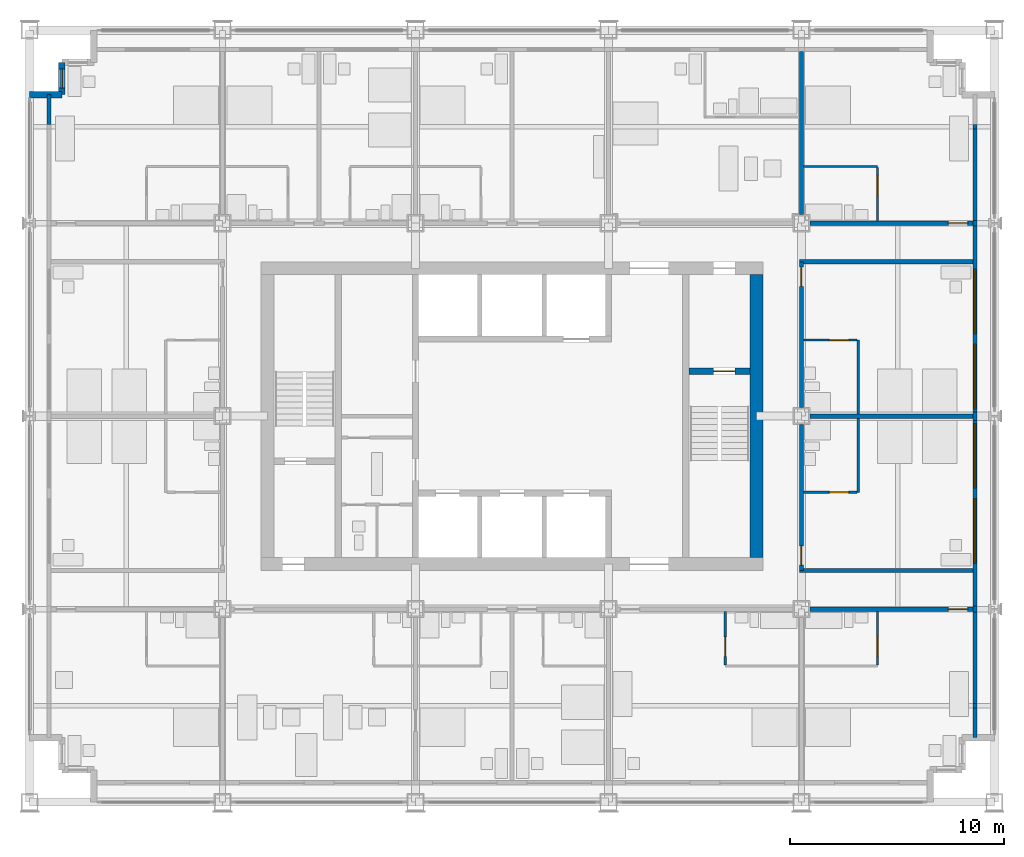
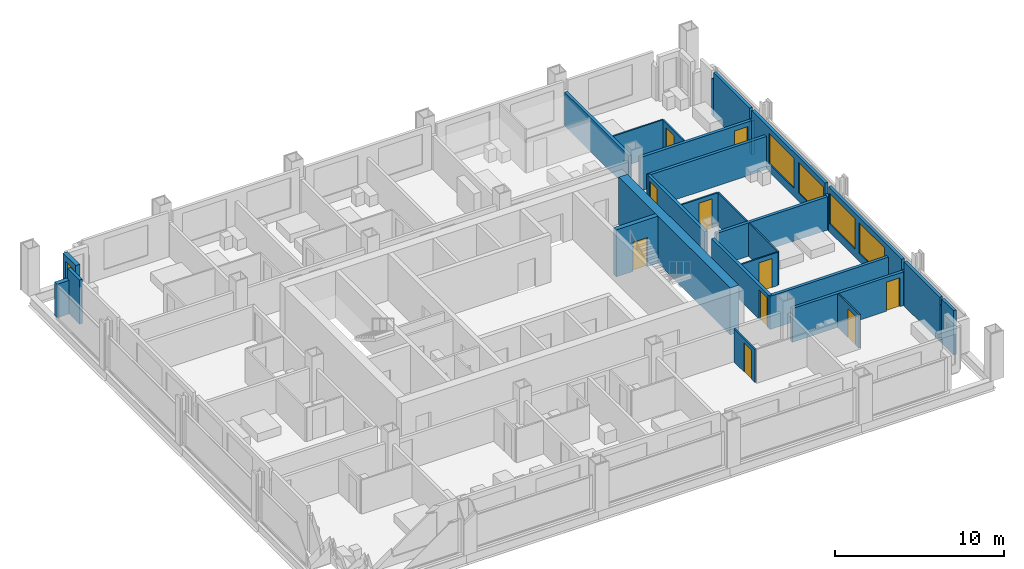
# One storey, part 12 of 16: 31 walls, 10 doors, 5 windows, 15 openings.
"""IFC4 building model written with IfcOpenShell, lengths in metres."""

from ifc_helpers import new_model, si_unit, direction, frame, frame_2d, origin, place, context, subcontext, project, spatial, rectangle, extrude, material, layer, layer_set, type_object, element, fill, save


model = new_model("IFC4")

# Units and contexts
model_context = context("Model", 3, precision=1e-05, world=origin(), true_north=direction((0.0, 1.0)))
body_context = subcontext(model_context, "Body", "Model", "MODEL_VIEW")
ifc_project = project(units=[si_unit("LENGTHUNIT", "METRE"), si_unit("AREAUNIT", "SQUARE_METRE"), si_unit("VOLUMEUNIT", "CUBIC_METRE"), si_unit("PLANEANGLEUNIT", "RADIAN"), si_unit("MASSUNIT", "GRAM", prefix="KILO")], contexts=[model_context])

# Site, building, storey
site_placement = place(None, origin())
site = spatial("IfcSite", under=ifc_project, at=site_placement, CompositionType="ELEMENT")
building_placement = place(site_placement, origin())
building = spatial("IfcBuilding", under=site, at=building_placement, Name="Loomwork Tower", CompositionType="ELEMENT")
storey_placement = place(building_placement, frame((0.0, 0.0, 128.199951171875)))
storey = spatial("IfcBuildingStorey", under=building, at=storey_placement, Name="L34", CompositionType="ELEMENT", Elevation=128.199951171875)

# Wall, opening, door
ifc_material_1 = material(Name="Concrete 14000 psi (97 MPa)", Category="concrete")
ifc_layer_1 = layer(ifc_material_1, 0.300048828125)
ifc_layer_set_1 = layer_set([ifc_layer_1], Name="Core shear wall 300")
wall_type_1 = type_object("IfcWallType", Name="Core shear wall 300", PredefinedType="SHEAR", material=ifc_layer_set_1)
wall_1_placement = place(storey_placement, frame((30.75, 20.10009765625, 0.0), z_axis=(0.0, 0.0, 1.0), x_axis=(1.0, 0.0, 0.0)))
wall_1 = element("IfcWall", 1, at=wall_1_placement, inside=storey, type_object=wall_type_1, Name="Stair B north wall L34", PredefinedType="SHEAR", context=body_context, shape_type="SweptSolid", body=[
    extrude(rectangle(XDim=2.85009765625, YDim=0.300048828125, at=frame_2d((1.425048828125, 0.0))), origin(), (0.0, 0.0, 1.0), 3.400146484375),
])
opening_1_placement = place(wall_1_placement, frame((1.14990234375, 0.0, 0.0)))
opening_1 = element("IfcOpeningElement", 2, at=opening_1_placement, cuts=wall_1, Name="Opening D4", PredefinedType="OPENING", context=body_context, shape_type="SweptSolid", body=[
    extrude(rectangle(XDim=1.0, YDim=2.10009765625, at=frame_2d((0.5, 1.050048828125))), frame((0.0, 0.159912109375, 0.0), z_axis=(0.0, -1.0, 0.0), x_axis=(1.0, 0.0, 0.0)), (0.0, 0.0, 1.0), 0.320068359375),
])
ifc_material_2 = material(Name="Hollow metal door and frame")
door_type_1 = type_object("IfcDoorType", Name="Stair door 1000", OperationType="SINGLE_SWING_RIGHT", PredefinedType="DOOR", material=ifc_material_2)
door_1_placement = place(opening_1_placement, frame((1.0, 0.0, 0.0), z_axis=(0.0, 0.0, 1.0), x_axis=(-1.0, 0.0, 0.0)))
door_1 = element("IfcDoor", 3, at=door_1_placement, inside=storey, type_object=door_type_1, Name="Stair B door", OperationType="SINGLE_SWING_LEFT", OverallHeight=2.10009765625, OverallWidth=1.0, PredefinedType="DOOR", context=body_context, shape_type="SweptSolid", body=[
    extrude(rectangle(XDim=1.0, YDim=2.10009765625, at=frame_2d((0.5, 1.050048828125))), frame((0.0, 0.02490234375, 0.0), z_axis=(0.0, -1.0, 0.0), x_axis=(1.0, 0.0, 0.0)), (0.0, 0.0, 1.0), 0.050048828125),
])
fill(opening_1, door_1)

# Wall
ifc_material_3 = material(Name="Concrete 14000 psi (97 MPa)", Category="concrete")
ifc_layer_2 = layer(ifc_material_3, 0.60009765625)
ifc_layer_set_2 = layer_set([ifc_layer_2], Name="Core shear wall 600")
wall_type_2 = type_object("IfcWallType", Name="Core shear wall 600", PredefinedType="SHEAR", material=ifc_layer_set_2)
wall_2_placement = place(storey_placement, frame((33.89990234375, 11.39990234375, 0.0), z_axis=(0.0, 0.0, 1.0), x_axis=(0.0, 1.0, 0.0)))
element("IfcWall", 4, at=wall_2_placement, inside=storey, type_object=wall_type_2, Name="Core wall east L34", PredefinedType="SHEAR", context=body_context, shape_type="SweptSolid", body=[
    extrude(rectangle(XDim=13.2001953125, YDim=0.60009765625, at=frame_2d((6.60009765625, 0.0))), origin(), (0.0, 0.0, 1.0), 3.400146484375),
])

# Wall, opening, door
ifc_material_4 = material(Name="Gypsum board on steel studs, one-hour", Category="steel")
ifc_layer_3 = layer(ifc_material_4, 0.199951171875)
ifc_layer_set_3 = layer_set([ifc_layer_3], Name="Corridor wall 200")
wall_type_3 = type_object("IfcWallType", Name="Corridor wall 200", PredefinedType="PARTITIONING", material=ifc_layer_set_3)
wall_3_placement = place(storey_placement, frame((36.39990234375, 9.0, 0.0), z_axis=(0.0, 0.0, 1.0), x_axis=(1.0, 0.0, 0.0)))
wall_3 = element("IfcWall", 5, at=wall_3_placement, inside=storey, type_object=wall_type_3, Name="South corridor wall 5", PredefinedType="PARTITIONING", context=body_context, shape_type="SweptSolid", body=[
    extrude(rectangle(XDim=7.60009765625, YDim=0.199951171875, at=frame_2d((3.800048828125, 0.0))), origin(), (0.0, 0.0, 1.0), 2.43798828125),
])
opening_2_placement = place(wall_3_placement, frame((6.449951171875, 0.0, 0.0)))
opening_2 = element("IfcOpeningElement", 6, at=opening_2_placement, cuts=wall_3, Name="Opening D1", PredefinedType="OPENING", context=body_context, shape_type="SweptSolid", body=[
    extrude(rectangle(XDim=0.89990234375, YDim=2.10009765625, at=frame_2d((0.449951171875, 1.050048828125))), frame((0.0, 0.10986328125, 0.0), z_axis=(0.0, -1.0, 0.0), x_axis=(1.0, 0.0, 0.0)), (0.0, 0.0, 1.0), 0.219970703125),
])
ifc_material_5 = material(Name="Hollow metal door and frame")
door_type_2 = type_object("IfcDoorType", Name="Guest room entry door 900", OperationType="SINGLE_SWING_LEFT", PredefinedType="DOOR", material=ifc_material_5)
door_2_placement = place(opening_2_placement, frame((0.89990234375, 0.0, 0.0), z_axis=(0.0, 0.0, 1.0), x_axis=(-1.0, 0.0, 0.0)))
door_2 = element("IfcDoor", 7, at=door_2_placement, inside=storey, type_object=door_type_2, Name="Guest room entry door L34 6", OperationType="SINGLE_SWING_LEFT", OverallHeight=2.10009765625, OverallWidth=0.89990234375, PredefinedType="DOOR", context=body_context, shape_type="SweptSolid", body=[
    extrude(rectangle(XDim=0.89990234375, YDim=2.10009765625, at=frame_2d((0.449951171875, 1.050048828125))), frame((0.0, 0.02490234375, 0.0), z_axis=(0.0, -1.0, 0.0), x_axis=(1.0, 0.0, 0.0)), (0.0, 0.0, 1.0), 0.050048828125),
])
fill(opening_2, door_2)

wall_4_placement = place(storey_placement, frame((36.39990234375, 27.0, 0.0), z_axis=(0.0, 0.0, 1.0), x_axis=(1.0, 0.0, 0.0)))
wall_4 = element("IfcWall", 8, at=wall_4_placement, inside=storey, type_object=wall_type_3, Name="North corridor wall 5", PredefinedType="PARTITIONING", context=body_context, shape_type="SweptSolid", body=[
    extrude(rectangle(XDim=7.60009765625, YDim=0.199951171875, at=frame_2d((3.800048828125, 0.0))), origin(), (0.0, 0.0, 1.0), 2.43798828125),
])
opening_3_placement = place(wall_4_placement, frame((6.449951171875, 0.0, 0.0)))
opening_3 = element("IfcOpeningElement", 9, at=opening_3_placement, cuts=wall_4, Name="Opening D1", PredefinedType="OPENING", context=body_context, shape_type="SweptSolid", body=[
    extrude(rectangle(XDim=0.89990234375, YDim=2.10009765625, at=frame_2d((0.449951171875, 1.050048828125))), frame((0.0, 0.10986328125, 0.0), z_axis=(0.0, -1.0, 0.0), x_axis=(1.0, 0.0, 0.0)), (0.0, 0.0, 1.0), 0.219970703125),
])
door_3_placement = place(opening_3_placement, origin())
door_3 = element("IfcDoor", 10, at=door_3_placement, inside=storey, type_object=door_type_2, Name="Guest room entry door L34 13", OperationType="SINGLE_SWING_RIGHT", OverallHeight=2.10009765625, OverallWidth=0.89990234375, PredefinedType="DOOR", context=body_context, shape_type="SweptSolid", body=[
    extrude(rectangle(XDim=0.89990234375, YDim=2.10009765625, at=frame_2d((0.449951171875, 1.050048828125))), frame((0.0, 0.02490234375, 0.0), z_axis=(0.0, -1.0, 0.0), x_axis=(1.0, 0.0, 0.0)), (0.0, 0.0, 1.0), 0.050048828125),
])
fill(opening_3, door_3)

wall_5_placement = place(storey_placement, frame((36.0, 10.800048828125, 0.0), z_axis=(0.0, 0.0, 1.0), x_axis=(0.0, 1.0, 0.0)))
wall_5 = element("IfcWall", 11, at=wall_5_placement, inside=storey, type_object=wall_type_3, Name="East corridor wall 1", PredefinedType="PARTITIONING", context=body_context, shape_type="SweptSolid", body=[
    extrude(rectangle(XDim=6.800048828125, YDim=0.199951171875, at=frame_2d((3.39990234375, 0.0))), origin(), (0.0, 0.0, 1.0), 2.405029296875),
])
opening_4_placement = place(wall_5_placement, frame((0.25, 0.0, 0.0)))
opening_4 = element("IfcOpeningElement", 12, at=opening_4_placement, cuts=wall_5, Name="Opening D1", PredefinedType="OPENING", context=body_context, shape_type="SweptSolid", body=[
    extrude(rectangle(XDim=0.89990234375, YDim=2.10009765625, at=frame_2d((0.449951171875, 1.050048828125))), frame((0.0, 0.10986328125, 0.0), z_axis=(0.0, -1.0, 0.0), x_axis=(1.0, 0.0, 0.0)), (0.0, 0.0, 1.0), 0.219970703125),
])
door_4_placement = place(opening_4_placement, frame((0.89990234375, 0.0, 0.0), z_axis=(0.0, 0.0, 1.0), x_axis=(-1.0, 0.0, 0.0)))
door_4 = element("IfcDoor", 13, at=door_4_placement, inside=storey, type_object=door_type_2, Name="Guest room entry door L34 16", OperationType="SINGLE_SWING_RIGHT", OverallHeight=2.10009765625, OverallWidth=0.89990234375, PredefinedType="DOOR", context=body_context, shape_type="SweptSolid", body=[
    extrude(rectangle(XDim=0.89990234375, YDim=2.10009765625, at=frame_2d((0.449951171875, 1.050048828125))), frame((0.0, 0.02490234375, 0.0), z_axis=(0.0, -1.0, 0.0), x_axis=(1.0, 0.0, 0.0)), (0.0, 0.0, 1.0), 0.050048828125),
])
fill(opening_4, door_4)

wall_6_placement = place(storey_placement, frame((36.0, 18.39990234375, 0.0), z_axis=(0.0, 0.0, 1.0), x_axis=(0.0, 1.0, 0.0)))
wall_6 = element("IfcWall", 14, at=wall_6_placement, inside=storey, type_object=wall_type_3, Name="East corridor wall 2", PredefinedType="PARTITIONING", context=body_context, shape_type="SweptSolid", body=[
    extrude(rectangle(XDim=6.800048828125, YDim=0.199951171875, at=frame_2d((3.39990234375, 0.0))), origin(), (0.0, 0.0, 1.0), 2.405029296875),
])
opening_5_placement = place(wall_6_placement, frame((5.64990234375, 0.0, 0.0)))
opening_5 = element("IfcOpeningElement", 15, at=opening_5_placement, cuts=wall_6, Name="Opening D1", PredefinedType="OPENING", context=body_context, shape_type="SweptSolid", body=[
    extrude(rectangle(XDim=0.89990234375, YDim=2.10009765625, at=frame_2d((0.449951171875, 1.050048828125))), frame((0.0, 0.10986328125, 0.0), z_axis=(0.0, -1.0, 0.0), x_axis=(1.0, 0.0, 0.0)), (0.0, 0.0, 1.0), 0.219970703125),
])
door_5_placement = place(opening_5_placement, frame((0.89990234375, 0.0, 0.0), z_axis=(0.0, 0.0, 1.0), x_axis=(-1.0, 0.0, 0.0)))
door_5 = element("IfcDoor", 16, at=door_5_placement, inside=storey, type_object=door_type_2, Name="Guest room entry door L34 17", OperationType="SINGLE_SWING_LEFT", OverallHeight=2.10009765625, OverallWidth=0.89990234375, PredefinedType="DOOR", context=body_context, shape_type="SweptSolid", body=[
    extrude(rectangle(XDim=0.89990234375, YDim=2.10009765625, at=frame_2d((0.449951171875, 1.050048828125))), frame((0.0, 0.02490234375, 0.0), z_axis=(0.0, -1.0, 0.0), x_axis=(1.0, 0.0, 0.0)), (0.0, 0.0, 1.0), 0.050048828125),
])
fill(opening_5, door_5)

# Walls
for number, where, z_axis, x_axis, name in (
    (17, (35.89990234375, 10.800048828125, 0.0), (0.0, 0.0, 1.0), (1.0, 0.0, 0.0), "East band end wall S"),
    (18, (35.89990234375, 25.199951171875, 0.0), (0.0, 0.0, 1.0), (1.0, 0.0, 0.0), "East band end wall N"),
):
    element("IfcWall", number, at=place(storey_placement, frame(where, z_axis=z_axis, x_axis=x_axis)), inside=storey, type_object=wall_type_3, Name=name, PredefinedType="PARTITIONING", context=body_context, shape_type="SweptSolid", body=[
        extrude(rectangle(XDim=8.10009765625, YDim=0.199951171875, at=frame_2d((4.050048828125, 0.0))), origin(), (0.0, 0.0, 1.0), 2.404052734375),
    ])

# Wall, opening, door
ifc_material_6 = material(Name="Cement board on steel studs", Category="steel")
ifc_layer_4 = layer(ifc_material_6, 0.10009765625)
ifc_layer_set_4 = layer_set([ifc_layer_4], Name="En-suite partition 100")
wall_type_4 = type_object("IfcWallType", Name="En-suite partition 100", PredefinedType="PARTITIONING", material=ifc_layer_set_4)
wall_7_placement = place(storey_placement, frame((32.449951171875, 8.89990234375, 0.0), z_axis=(0.0, 0.0, 1.0), x_axis=(0.0, -1.0, 0.0)))
wall_7 = element("IfcWall", 19, at=wall_7_placement, inside=storey, type_object=wall_type_4, Name="En-suite side wall L34 room 5", PredefinedType="PARTITIONING", context=body_context, shape_type="SweptSolid", body=[
    extrude(rectangle(XDim=2.5, YDim=0.10009765625, at=frame_2d((1.25, 0.0))), origin(), (0.0, 0.0, 1.0), 2.404052734375),
])
opening_6_placement = place(wall_7_placement, frame((1.199951171875, 0.0, 0.0)))
opening_6 = element("IfcOpeningElement", 20, at=opening_6_placement, cuts=wall_7, Name="Opening D2", PredefinedType="OPENING", context=body_context, shape_type="SweptSolid", body=[
    extrude(rectangle(XDim=0.89990234375, YDim=2.10009765625, at=frame_2d((0.449951171875, 1.050048828125))), frame((0.0, 0.06005859375, 0.0), z_axis=(0.0, -1.0, 0.0), x_axis=(1.0, 0.0, 0.0)), (0.0, 0.0, 1.0), 0.1201171875),
])
ifc_material_7 = material(Name="Hollow metal door and frame")
door_type_3 = type_object("IfcDoorType", Name="En-suite door 900", OperationType="SINGLE_SWING_LEFT", PredefinedType="DOOR", material=ifc_material_7)
door_6_placement = place(opening_6_placement, origin())
door_6 = element("IfcDoor", 21, at=door_6_placement, inside=storey, type_object=door_type_3, Name="En-suite door room 5", OperationType="SINGLE_SWING_RIGHT", OverallHeight=2.10009765625, OverallWidth=0.89990234375, PredefinedType="DOOR", context=body_context, shape_type="SweptSolid", body=[
    extrude(rectangle(XDim=0.89990234375, YDim=2.10009765625, at=frame_2d((0.449951171875, 1.050048828125))), frame((0.0, 0.02490234375, 0.0), z_axis=(0.0, -1.0, 0.0), x_axis=(1.0, 0.0, 0.0)), (0.0, 0.0, 1.0), 0.050048828125),
])
fill(opening_6, door_6)

wall_8_placement = place(storey_placement, frame((39.550048828125, 8.89990234375, 0.0), z_axis=(0.0, 0.0, 1.0), x_axis=(0.0, -1.0, 0.0)))
wall_8 = element("IfcWall", 22, at=wall_8_placement, inside=storey, type_object=wall_type_4, Name="En-suite side wall L34 room 6", PredefinedType="PARTITIONING", context=body_context, shape_type="SweptSolid", body=[
    extrude(rectangle(XDim=2.5, YDim=0.10009765625, at=frame_2d((1.25, 0.0))), origin(), (0.0, 0.0, 1.0), 2.43798828125),
])
opening_7_placement = place(wall_8_placement, frame((1.199951171875, 0.0, 0.0)))
opening_7 = element("IfcOpeningElement", 23, at=opening_7_placement, cuts=wall_8, Name="Opening D2", PredefinedType="OPENING", context=body_context, shape_type="SweptSolid", body=[
    extrude(rectangle(XDim=0.89990234375, YDim=2.10009765625, at=frame_2d((0.449951171875, 1.050048828125))), frame((0.0, 0.06005859375, 0.0), z_axis=(0.0, -1.0, 0.0), x_axis=(1.0, 0.0, 0.0)), (0.0, 0.0, 1.0), 0.1201171875),
])
door_7_placement = place(opening_7_placement, frame((0.89990234375, 0.0, 0.0), z_axis=(0.0, 0.0, 1.0), x_axis=(-1.0, 0.0, 0.0)))
door_7 = element("IfcDoor", 24, at=door_7_placement, inside=storey, type_object=door_type_3, Name="En-suite door room 6", OperationType="SINGLE_SWING_LEFT", OverallHeight=2.10009765625, OverallWidth=0.89990234375, PredefinedType="DOOR", context=body_context, shape_type="SweptSolid", body=[
    extrude(rectangle(XDim=0.89990234375, YDim=2.10009765625, at=frame_2d((0.449951171875, 1.050048828125))), frame((0.0, 0.02490234375, 0.0), z_axis=(0.0, -1.0, 0.0), x_axis=(1.0, 0.0, 0.0)), (0.0, 0.0, 1.0), 0.050048828125),
])
fill(opening_7, door_7)

# Wall
wall_9_placement = place(storey_placement, frame((36.10009765625, 29.64990234375, 0.0), z_axis=(0.0, 0.0, 1.0), x_axis=(1.0, 0.0, 0.0)))
element("IfcWall", 25, at=wall_9_placement, inside=storey, type_object=wall_type_4, Name="En-suite wall L34 room 13", PredefinedType="PARTITIONING", context=body_context, shape_type="SweptSolid", body=[
    extrude(rectangle(XDim=3.449951171875, YDim=0.10009765625, at=frame_2d((1.72509765625, 0.0))), origin(), (0.0, 0.0, 1.0), 2.43798828125),
])

# Wall, opening, door
wall_10_placement = place(storey_placement, frame((39.550048828125, 27.10009765625, 0.0), z_axis=(0.0, 0.0, 1.0), x_axis=(0.0, 1.0, 0.0)))
wall_10 = element("IfcWall", 26, at=wall_10_placement, inside=storey, type_object=wall_type_4, Name="En-suite side wall L34 room 13", PredefinedType="PARTITIONING", context=body_context, shape_type="SweptSolid", body=[
    extrude(rectangle(XDim=2.5, YDim=0.10009765625, at=frame_2d((1.25, 0.0))), origin(), (0.0, 0.0, 1.0), 2.43798828125),
])
opening_8_placement = place(wall_10_placement, frame((1.199951171875, 0.0, 0.0)))
opening_8 = element("IfcOpeningElement", 27, at=opening_8_placement, cuts=wall_10, Name="Opening D2", PredefinedType="OPENING", context=body_context, shape_type="SweptSolid", body=[
    extrude(rectangle(XDim=0.89990234375, YDim=2.10009765625, at=frame_2d((0.449951171875, 1.050048828125))), frame((0.0, 0.06005859375, 0.0), z_axis=(0.0, -1.0, 0.0), x_axis=(1.0, 0.0, 0.0)), (0.0, 0.0, 1.0), 0.1201171875),
])
door_8_placement = place(opening_8_placement, origin())
door_8 = element("IfcDoor", 28, at=door_8_placement, inside=storey, type_object=door_type_3, Name="En-suite door room 13", OperationType="SINGLE_SWING_RIGHT", OverallHeight=2.10009765625, OverallWidth=0.89990234375, PredefinedType="DOOR", context=body_context, shape_type="SweptSolid", body=[
    extrude(rectangle(XDim=0.89990234375, YDim=2.10009765625, at=frame_2d((0.449951171875, 1.050048828125))), frame((0.0, 0.02490234375, 0.0), z_axis=(0.0, -1.0, 0.0), x_axis=(1.0, 0.0, 0.0)), (0.0, 0.0, 1.0), 0.050048828125),
])
fill(opening_8, door_8)

# Wall
wall_11_placement = place(storey_placement, frame((38.64990234375, 14.449951171875, 0.0), z_axis=(0.0, 0.0, 1.0), x_axis=(0.0, 1.0, 0.0)))
element("IfcWall", 29, at=wall_11_placement, inside=storey, type_object=wall_type_4, Name="En-suite wall L34 room 16", PredefinedType="PARTITIONING", context=body_context, shape_type="SweptSolid", body=[
    extrude(rectangle(XDim=3.449951171875, YDim=0.10009765625, at=frame_2d((1.72509765625, 0.0))), origin(), (0.0, 0.0, 1.0), 2.404052734375),
])

# Wall, opening, door
wall_12_placement = place(storey_placement, frame((36.10009765625, 14.449951171875, 0.0), z_axis=(0.0, 0.0, 1.0), x_axis=(1.0, 0.0, 0.0)))
wall_12 = element("IfcWall", 30, at=wall_12_placement, inside=storey, type_object=wall_type_4, Name="En-suite side wall L34 room 16", PredefinedType="PARTITIONING", context=body_context, shape_type="SweptSolid", body=[
    extrude(rectangle(XDim=2.5, YDim=0.10009765625, at=frame_2d((1.25, 0.0))), origin(), (0.0, 0.0, 1.0), 2.404052734375),
])
opening_9_placement = place(wall_12_placement, frame((1.199951171875, 0.0, 0.0)))
opening_9 = element("IfcOpeningElement", 31, at=opening_9_placement, cuts=wall_12, Name="Opening D2", PredefinedType="OPENING", context=body_context, shape_type="SweptSolid", body=[
    extrude(rectangle(XDim=0.89990234375, YDim=2.10009765625, at=frame_2d((0.449951171875, 1.050048828125))), frame((0.0, 0.06005859375, 0.0), z_axis=(0.0, -1.0, 0.0), x_axis=(1.0, 0.0, 0.0)), (0.0, 0.0, 1.0), 0.1201171875),
])
door_9_placement = place(opening_9_placement, origin())
door_9 = element("IfcDoor", 32, at=door_9_placement, inside=storey, type_object=door_type_3, Name="En-suite door room 16", OperationType="SINGLE_SWING_RIGHT", OverallHeight=2.10009765625, OverallWidth=0.89990234375, PredefinedType="DOOR", context=body_context, shape_type="SweptSolid", body=[
    extrude(rectangle(XDim=0.89990234375, YDim=2.10009765625, at=frame_2d((0.449951171875, 1.050048828125))), frame((0.0, 0.02490234375, 0.0), z_axis=(0.0, -1.0, 0.0), x_axis=(1.0, 0.0, 0.0)), (0.0, 0.0, 1.0), 0.050048828125),
])
fill(opening_9, door_9)

# Wall
wall_13_placement = place(storey_placement, frame((38.64990234375, 18.10009765625, 0.0), z_axis=(0.0, 0.0, 1.0), x_axis=(0.0, 1.0, 0.0)))
element("IfcWall", 33, at=wall_13_placement, inside=storey, type_object=wall_type_4, Name="En-suite wall L34 room 17", PredefinedType="PARTITIONING", context=body_context, shape_type="SweptSolid", body=[
    extrude(rectangle(XDim=3.449951171875, YDim=0.10009765625, at=frame_2d((1.72509765625, 0.0))), origin(), (0.0, 0.0, 1.0), 2.404052734375),
])

# Wall, opening, door
wall_14_placement = place(storey_placement, frame((36.10009765625, 21.550048828125, 0.0), z_axis=(0.0, 0.0, 1.0), x_axis=(1.0, 0.0, 0.0)))
wall_14 = element("IfcWall", 34, at=wall_14_placement, inside=storey, type_object=wall_type_4, Name="En-suite side wall L34 room 17", PredefinedType="PARTITIONING", context=body_context, shape_type="SweptSolid", body=[
    extrude(rectangle(XDim=2.5, YDim=0.10009765625, at=frame_2d((1.25, 0.0))), origin(), (0.0, 0.0, 1.0), 2.404052734375),
])
opening_10_placement = place(wall_14_placement, frame((1.199951171875, 0.0, 0.0)))
opening_10 = element("IfcOpeningElement", 35, at=opening_10_placement, cuts=wall_14, Name="Opening D2", PredefinedType="OPENING", context=body_context, shape_type="SweptSolid", body=[
    extrude(rectangle(XDim=0.89990234375, YDim=2.10009765625, at=frame_2d((0.449951171875, 1.050048828125))), frame((0.0, 0.06005859375, 0.0), z_axis=(0.0, -1.0, 0.0), x_axis=(1.0, 0.0, 0.0)), (0.0, 0.0, 1.0), 0.1201171875),
])
door_10_placement = place(opening_10_placement, frame((0.89990234375, 0.0, 0.0), z_axis=(0.0, 0.0, 1.0), x_axis=(-1.0, 0.0, 0.0)))
door_10 = element("IfcDoor", 36, at=door_10_placement, inside=storey, type_object=door_type_3, Name="En-suite door room 17", OperationType="SINGLE_SWING_LEFT", OverallHeight=2.10009765625, OverallWidth=0.89990234375, PredefinedType="DOOR", context=body_context, shape_type="SweptSolid", body=[
    extrude(rectangle(XDim=0.89990234375, YDim=2.10009765625, at=frame_2d((0.449951171875, 1.050048828125))), frame((0.0, 0.02490234375, 0.0), z_axis=(0.0, -1.0, 0.0), x_axis=(1.0, 0.0, 0.0)), (0.0, 0.0, 1.0), 0.050048828125),
])
fill(opening_10, door_10)

# Walls
ifc_material_8 = material(Name="Gypsum board on steel studs, acoustic", Category="steel")
ifc_layer_5 = layer(ifc_material_8, 0.199951171875)
ifc_layer_set_5 = layer_set([ifc_layer_5], Name="Guest room party wall 200")
wall_type_5 = type_object("IfcWallType", Name="Guest room party wall 200", PredefinedType="PARTITIONING", material=ifc_layer_set_5)
wall_15_placement = place(storey_placement, frame((36.0, 27.39990234375, 0.0), z_axis=(0.0, 0.0, 1.0), x_axis=(0.0, 1.0, 0.0)))
element("IfcWall", 37, at=wall_15_placement, inside=storey, type_object=wall_type_5, Name="Guest room party wall N 36", PredefinedType="PARTITIONING", context=body_context, shape_type="SweptSolid", body=[
    extrude(rectangle(XDim=7.60009765625, YDim=0.199951171875, at=frame_2d((3.800048828125, 0.0))), origin(), (0.0, 0.0, 1.0), 2.43798828125),
])
wall_16_placement = place(storey_placement, frame((36.39990234375, 18.0, 0.0), z_axis=(0.0, 0.0, 1.0), x_axis=(1.0, 0.0, 0.0)))
element("IfcWall", 38, at=wall_16_placement, inside=storey, type_object=wall_type_5, Name="Guest room party wall E 18", PredefinedType="PARTITIONING", context=body_context, shape_type="SweptSolid", body=[
    extrude(rectangle(XDim=7.60009765625, YDim=0.199951171875, at=frame_2d((3.800048828125, 0.0))), origin(), (0.0, 0.0, 1.0), 2.405029296875),
])
ifc_material_9 = material(Name="Insulated steel stud wall with gypsum lining", Category="steel")
ifc_layer_6 = layer(ifc_material_9, 0.199951171875)
ifc_layer_set_6 = layer_set([ifc_layer_6], Name="Inner skin wall 200")
wall_type_6 = type_object("IfcWallType", Name="Inner skin wall 200", PredefinedType="SOLIDWALL", material=ifc_layer_set_6)
for number, where, z_axis, x_axis, name in (
    (39, (44.10009765625, 3.0, 0.0), (0.0, 0.0, 1.0), (0.0, 1.0, 0.0), "Inner skin wall E"),
    (40, (0.89990234375, 31.607421875, 0.0), (0.0, 0.0, 1.0), (0.0, 1.0, 0.0), "Inner skin wall W bay 11"),
):
    element("IfcWall", number, at=place(storey_placement, frame(where, z_axis=z_axis, x_axis=x_axis)), inside=storey, type_object=wall_type_6, Name=name, PredefinedType="SOLIDWALL", context=body_context, shape_type="SweptSolid", body=[
        extrude(rectangle(XDim=1.392578125, YDim=0.199951171875, at=frame_2d((0.6962890625, 0.0))), origin(), (0.0, 0.0, 1.0), 3.199951171875),
    ])
wall_17_placement = place(storey_placement, frame((44.10009765625, 4.392578125, 0.0), z_axis=(0.0, 0.0, 1.0), x_axis=(0.0, 1.0, 0.0)))
element("IfcWall", 41, at=wall_17_placement, inside=storey, type_object=wall_type_6, Name="Inner skin wall E bay 2", PredefinedType="SOLIDWALL", context=body_context, shape_type="SweptSolid", body=[
    extrude(rectangle(XDim=0.21484375, YDim=0.199951171875, at=frame_2d((0.107421875, 0.0))), origin(), (0.0, 0.0, 1.0), 2.6611328125),
])
wall_18_placement = place(storey_placement, frame((44.10009765625, 4.607421875, 0.0), z_axis=(0.0, 0.0, 1.0), x_axis=(0.0, 1.0, 0.0)))
element("IfcWall", 42, at=wall_18_placement, inside=storey, type_object=wall_type_6, Name="Inner skin wall E bay 3", PredefinedType="SOLIDWALL", context=body_context, shape_type="SweptSolid", body=[
    extrude(rectangle(XDim=4.25732421875, YDim=0.199951171875, at=frame_2d((2.128662109375, 0.0))), origin(), (0.0, 0.0, 1.0), 3.199951171875),
])
wall_19_placement = place(storey_placement, frame((44.10009765625, 8.86474609375, 0.0), z_axis=(0.0, 0.0, 1.0), x_axis=(0.0, 1.0, 0.0)))
element("IfcWall", 43, at=wall_19_placement, inside=storey, type_object=wall_type_6, Name="Inner skin wall E bay 4", PredefinedType="SOLIDWALL", context=body_context, shape_type="SweptSolid", body=[
    extrude(rectangle(XDim=0.2705078125, YDim=0.199951171875, at=frame_2d((0.13525390625, 0.0))), origin(), (0.0, 0.0, 1.0), 2.43798828125),
])

# Wall, openings, windows
wall_20_placement = place(storey_placement, frame((44.10009765625, 9.13525390625, 0.0), z_axis=(0.0, 0.0, 1.0), x_axis=(0.0, 1.0, 0.0)))
wall_20 = element("IfcWall", 44, at=wall_20_placement, inside=storey, type_object=wall_type_6, Name="Inner skin wall E bay 5", PredefinedType="SOLIDWALL", context=body_context, shape_type="SweptSolid", body=[
    extrude(rectangle(XDim=8.6708984375, YDim=0.199951171875, at=frame_2d((4.33544921875, 0.0))), origin(), (0.0, 0.0, 1.0), 3.199951171875),
])
opening_11_placement = place(wall_20_placement, frame((2.0146484375, 0.0, 0.60009765625)))
opening_11 = element("IfcOpeningElement", 45, at=opening_11_placement, cuts=wall_20, Name="Opening CH1", PredefinedType="OPENING", context=body_context, shape_type="SweptSolid", body=[
    extrude(rectangle(XDim=3.0, YDim=2.199951171875, at=frame_2d((1.5, 1.10009765625))), frame((0.0, 0.10986328125, 0.0), z_axis=(0.0, -1.0, 0.0), x_axis=(1.0, 0.0, 0.0)), (0.0, 0.0, 1.0), 0.219970703125),
])
opening_12_placement = place(wall_20_placement, frame((5.5146484375, 0.0, 0.60009765625)))
opening_12 = element("IfcOpeningElement", 46, at=opening_12_placement, cuts=wall_20, Name="Opening CH1", PredefinedType="OPENING", context=body_context, shape_type="SweptSolid", body=[
    extrude(rectangle(XDim=3.0, YDim=2.199951171875, at=frame_2d((1.5, 1.10009765625))), frame((0.0, 0.10986328125, 0.0), z_axis=(0.0, -1.0, 0.0), x_axis=(1.0, 0.0, 0.0)), (0.0, 0.0, 1.0), 0.219970703125),
])
ifc_material_10 = material(Name="Aluminium frame with clear insulated glass", Category="aluminium")
window_type_1 = type_object("IfcWindowType", Name="Chicago window 3000", PartitioningType="TRIPLE_PANEL_VERTICAL", PredefinedType="WINDOW", material=ifc_material_10)
window_1_placement = place(opening_11_placement, origin())
window_1 = element("IfcWindow", 47, at=window_1_placement, inside=storey, type_object=window_type_1, Name="Chicago window L34 bay 13", OverallHeight=2.199951171875, OverallWidth=3.0, PartitioningType="TRIPLE_PANEL_VERTICAL", PredefinedType="WINDOW", context=body_context, shape_type="SweptSolid", body=[
    extrude(rectangle(XDim=3.0, YDim=2.199951171875, at=frame_2d((1.5, 1.10009765625))), frame((0.0, 0.030029296875, 0.0), z_axis=(0.0, -1.0, 0.0), x_axis=(1.0, 0.0, 0.0)), (0.0, 0.0, 1.0), 0.06005859375),
])
fill(opening_11, window_1)
window_2_placement = place(opening_12_placement, origin())
window_2 = element("IfcWindow", 48, at=window_2_placement, inside=storey, type_object=window_type_1, Name="Chicago window L34 bay 13", OverallHeight=2.199951171875, OverallWidth=3.0, PartitioningType="TRIPLE_PANEL_VERTICAL", PredefinedType="WINDOW", context=body_context, shape_type="SweptSolid", body=[
    extrude(rectangle(XDim=3.0, YDim=2.199951171875, at=frame_2d((1.5, 1.10009765625))), frame((0.0, 0.030029296875, 0.0), z_axis=(0.0, -1.0, 0.0), x_axis=(1.0, 0.0, 0.0)), (0.0, 0.0, 1.0), 0.06005859375),
])
fill(opening_12, window_2)

# Wall
wall_21_placement = place(storey_placement, frame((44.10009765625, 17.80615234375, 0.0), z_axis=(0.0, 0.0, 1.0), x_axis=(0.0, 1.0, 0.0)))
element("IfcWall", 49, at=wall_21_placement, inside=storey, type_object=wall_type_6, Name="Inner skin wall E bay 6", PredefinedType="SOLIDWALL", context=body_context, shape_type="SweptSolid", body=[
    extrude(rectangle(XDim=0.3876953125, YDim=0.199951171875, at=frame_2d((0.19384765625, 0.0))), origin(), (0.0, 0.0, 1.0), 2.404052734375),
])

# Wall, openings, windows
wall_22_placement = place(storey_placement, frame((44.10009765625, 18.19384765625, 0.0), z_axis=(0.0, 0.0, 1.0), x_axis=(0.0, 1.0, 0.0)))
wall_22 = element("IfcWall", 50, at=wall_22_placement, inside=storey, type_object=wall_type_6, Name="Inner skin wall E bay 7", PredefinedType="SOLIDWALL", context=body_context, shape_type="SweptSolid", body=[
    extrude(rectangle(XDim=8.6708984375, YDim=0.199951171875, at=frame_2d((4.33544921875, 0.0))), origin(), (0.0, 0.0, 1.0), 3.199951171875),
])
opening_13_placement = place(wall_22_placement, frame((0.15625, 0.0, 0.60009765625)))
opening_13 = element("IfcOpeningElement", 51, at=opening_13_placement, cuts=wall_22, Name="Opening CH1", PredefinedType="OPENING", context=body_context, shape_type="SweptSolid", body=[
    extrude(rectangle(XDim=3.0, YDim=2.199951171875, at=frame_2d((1.5, 1.10009765625))), frame((0.0, 0.10986328125, 0.0), z_axis=(0.0, -1.0, 0.0), x_axis=(1.0, 0.0, 0.0)), (0.0, 0.0, 1.0), 0.219970703125),
])
opening_14_placement = place(wall_22_placement, frame((3.65625, 0.0, 0.60009765625)))
opening_14 = element("IfcOpeningElement", 52, at=opening_14_placement, cuts=wall_22, Name="Opening CH1", PredefinedType="OPENING", context=body_context, shape_type="SweptSolid", body=[
    extrude(rectangle(XDim=3.0, YDim=2.199951171875, at=frame_2d((1.5, 1.10009765625))), frame((0.0, 0.10986328125, 0.0), z_axis=(0.0, -1.0, 0.0), x_axis=(1.0, 0.0, 0.0)), (0.0, 0.0, 1.0), 0.219970703125),
])
window_3_placement = place(opening_13_placement, origin())
window_3 = element("IfcWindow", 53, at=window_3_placement, inside=storey, type_object=window_type_1, Name="Chicago window L34 bay 14", OverallHeight=2.199951171875, OverallWidth=3.0, PartitioningType="TRIPLE_PANEL_VERTICAL", PredefinedType="WINDOW", context=body_context, shape_type="SweptSolid", body=[
    extrude(rectangle(XDim=3.0, YDim=2.199951171875, at=frame_2d((1.5, 1.10009765625))), frame((0.0, 0.030029296875, 0.0), z_axis=(0.0, -1.0, 0.0), x_axis=(1.0, 0.0, 0.0)), (0.0, 0.0, 1.0), 0.06005859375),
])
fill(opening_13, window_3)
window_4_placement = place(opening_14_placement, origin())
window_4 = element("IfcWindow", 54, at=window_4_placement, inside=storey, type_object=window_type_1, Name="Chicago window L34 bay 14", OverallHeight=2.199951171875, OverallWidth=3.0, PartitioningType="TRIPLE_PANEL_VERTICAL", PredefinedType="WINDOW", context=body_context, shape_type="SweptSolid", body=[
    extrude(rectangle(XDim=3.0, YDim=2.199951171875, at=frame_2d((1.5, 1.10009765625))), frame((0.0, 0.030029296875, 0.0), z_axis=(0.0, -1.0, 0.0), x_axis=(1.0, 0.0, 0.0)), (0.0, 0.0, 1.0), 0.06005859375),
])
fill(opening_14, window_4)

# Walls
wall_23_placement = place(storey_placement, frame((44.10009765625, 26.86474609375, 0.0), z_axis=(0.0, 0.0, 1.0), x_axis=(0.0, 1.0, 0.0)))
element("IfcWall", 55, at=wall_23_placement, inside=storey, type_object=wall_type_6, Name="Inner skin wall E bay 8", PredefinedType="SOLIDWALL", context=body_context, shape_type="SweptSolid", body=[
    extrude(rectangle(XDim=0.2705078125, YDim=0.199951171875, at=frame_2d((0.13525390625, 0.0))), origin(), (0.0, 0.0, 1.0), 2.43798828125),
])
wall_24_placement = place(storey_placement, frame((44.10009765625, 27.13525390625, 0.0), z_axis=(0.0, 0.0, 1.0), x_axis=(0.0, 1.0, 0.0)))
element("IfcWall", 56, at=wall_24_placement, inside=storey, type_object=wall_type_6, Name="Inner skin wall E bay 9", PredefinedType="SOLIDWALL", context=body_context, shape_type="SweptSolid", body=[
    extrude(rectangle(XDim=4.25732421875, YDim=0.199951171875, at=frame_2d((2.128662109375, 0.0))), origin(), (0.0, 0.0, 1.0), 3.199951171875),
])
wall_25_placement = place(storey_placement, frame((44.10009765625, 31.392578125, 0.0), z_axis=(0.0, 0.0, 1.0), x_axis=(0.0, 1.0, 0.0)))
element("IfcWall", 57, at=wall_25_placement, inside=storey, type_object=wall_type_6, Name="Inner skin wall E bay 10", PredefinedType="SOLIDWALL", context=body_context, shape_type="SweptSolid", body=[
    extrude(rectangle(XDim=0.21484375, YDim=0.199951171875, at=frame_2d((0.107421875, 0.0))), origin(), (0.0, 0.0, 1.0), 2.6611328125),
])

# Wall, opening, window
ifc_material_11 = material(Name="Limestone on concrete masonry", Category="masonry")
ifc_layer_7 = layer(ifc_material_11, 0.300048828125)
ifc_layer_set_7 = layer_set([ifc_layer_7], Name="Limestone corner wall 300")
wall_type_7 = type_object("IfcWallType", Name="Limestone corner wall 300", PredefinedType="SOLIDWALL", material=ifc_layer_set_7)
wall_26_placement = place(storey_placement, frame((1.5, 34.5, 0.0), z_axis=(0.0, 0.0, 1.0), x_axis=(0.0, -1.0, 0.0)))
wall_26 = element("IfcWall", 58, at=wall_26_placement, inside=storey, type_object=wall_type_7, Name="Stone corner wall NW 3", PredefinedType="SOLIDWALL", context=body_context, shape_type="SweptSolid", body=[
    extrude(rectangle(XDim=1.5, YDim=0.300048828125, at=frame_2d((0.75, 0.0))), origin(), (0.0, 0.0, 1.0), 3.199951171875),
])
opening_15_placement = place(wall_26_placement, frame((0.300048828125, 0.0, 0.60009765625)))
opening_15 = element("IfcOpeningElement", 59, at=opening_15_placement, cuts=wall_26, Name="Opening CH2", PredefinedType="OPENING", context=body_context, shape_type="SweptSolid", body=[
    extrude(rectangle(XDim=0.89990234375, YDim=2.199951171875, at=frame_2d((0.449951171875, 1.10009765625))), frame((0.0, 0.159912109375, 0.0), z_axis=(0.0, -1.0, 0.0), x_axis=(1.0, 0.0, 0.0)), (0.0, 0.0, 1.0), 0.320068359375),
])
ifc_material_12 = material(Name="Aluminium frame with clear insulated glass", Category="aluminium")
window_type_2 = type_object("IfcWindowType", Name="Corner window 900", PartitioningType="SINGLE_PANEL", PredefinedType="WINDOW", material=ifc_material_12)
window_5_placement = place(opening_15_placement, origin())
window_5 = element("IfcWindow", 60, at=window_5_placement, inside=storey, type_object=window_type_2, Name="Corner window NW", OverallHeight=2.199951171875, OverallWidth=0.89990234375, PartitioningType="SINGLE_PANEL", PredefinedType="WINDOW", context=body_context, shape_type="SweptSolid", body=[
    extrude(rectangle(XDim=0.89990234375, YDim=2.199951171875, at=frame_2d((0.449951171875, 1.10009765625))), frame((0.0, 0.030029296875, 0.0), z_axis=(0.0, -1.0, 0.0), x_axis=(1.0, 0.0, 0.0)), (0.0, 0.0, 1.0), 0.06005859375),
])
fill(opening_15, window_5)

# Wall
wall_27_placement = place(storey_placement, frame((1.5, 33.0, 0.0), z_axis=(0.0, 0.0, 1.0), x_axis=(-1.0, 0.0, 0.0)))
element("IfcWall", 61, at=wall_27_placement, inside=storey, type_object=wall_type_7, Name="Stone corner wall NW 4", PredefinedType="SOLIDWALL", context=body_context, shape_type="SweptSolid", body=[
    extrude(rectangle(XDim=1.5, YDim=0.300048828125, at=frame_2d((0.75, 0.0))), origin(), (0.0, 0.0, 1.0), 2.420166015625),
])

save(model, "model.ifc")
